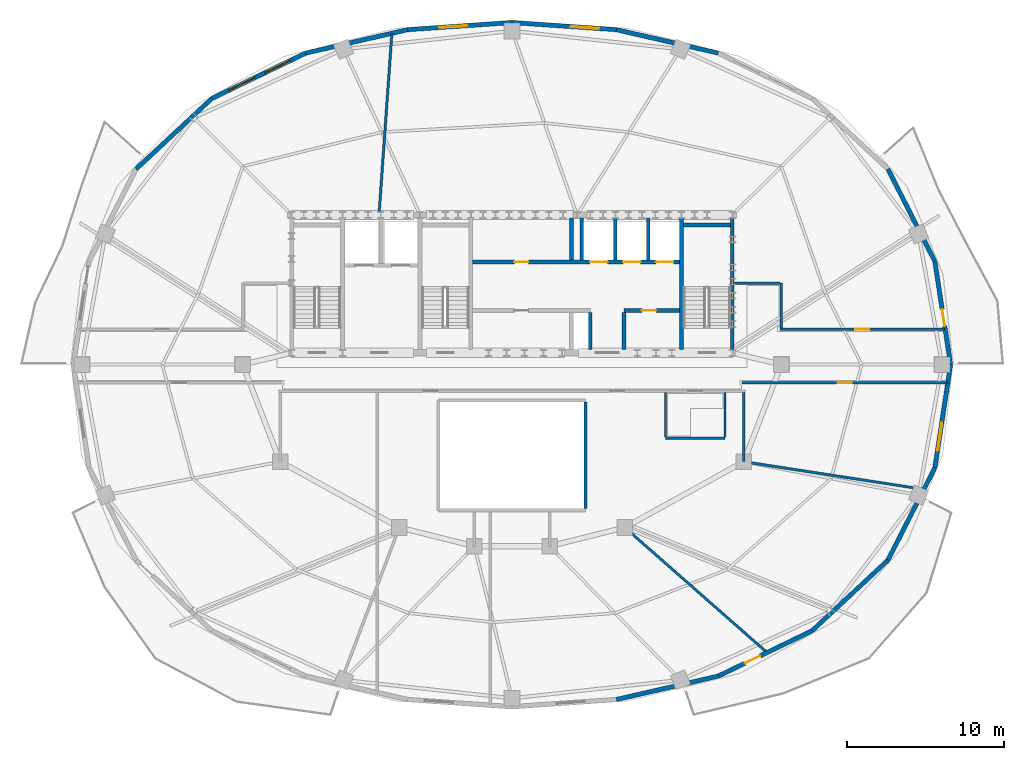
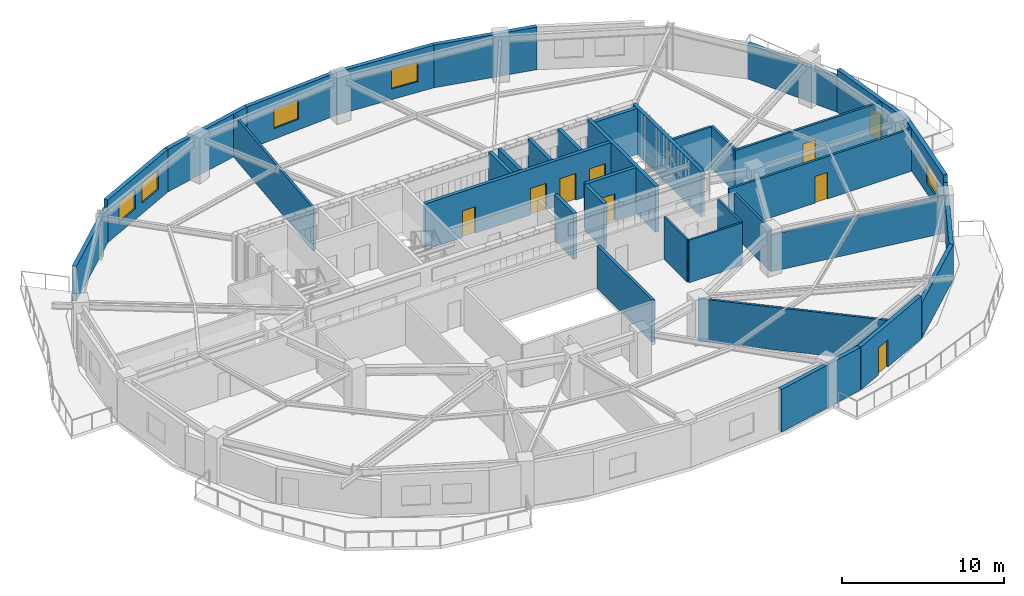
# One storey, part 5 of 11: 36 walls, 9 doors, 5 windows, 14 openings.
"""IFC4 building model written with IfcOpenShell, lengths in metres."""

from ifc_helpers import new_model, si_unit, direction, frame, frame_2d, origin, place, context, subcontext, project, spatial, rectangle, extrude, material, layer, layer_set, type_object, element, fill, save


model = new_model("IFC4")

# Units and contexts
model_context = context("Model", 3, precision=1e-05, world=origin(), true_north=direction((0.0, 1.0)))
body_context = subcontext(model_context, "Body", "Model", "MODEL_VIEW")
ifc_project = project(units=[si_unit("LENGTHUNIT", "METRE"), si_unit("AREAUNIT", "SQUARE_METRE"), si_unit("VOLUMEUNIT", "CUBIC_METRE"), si_unit("PLANEANGLEUNIT", "RADIAN"), si_unit("MASSUNIT", "GRAM", prefix="KILO")], contexts=[model_context])

# Site, building, storey
site_placement = place(None, origin())
site = spatial("IfcSite", under=ifc_project, at=site_placement, CompositionType="ELEMENT")
building_placement = place(site_placement, origin())
building = spatial("IfcBuilding", under=site, at=building_placement, Name="Haldorwick Loom Tower", CompositionType="ELEMENT")
storey_placement = place(building_placement, frame((0.0, 0.0, 227.10009765625)))
storey = spatial("IfcBuildingStorey", under=building, at=storey_placement, Name="L61", CompositionType="ELEMENT", Elevation=227.10009765625)

# Wall, opening, door
ifc_material_1 = material(Name="Pressed Clay Face Brick and Insulated Masonry Backup Assembly", Category="masonry")
ifc_layer_1 = layer(ifc_material_1, 0.280029296875, Name="Pressed Clay Face Brick and Insulated Masonry Backup Assembly", Category="masonry")
ifc_layer_set_1 = layer_set([ifc_layer_1], Name="Pressed Clay Face Brick and Insulated Masonry Backup Assembly")
wall_type_1 = type_object("IfcWallType", Name="ARC-WL-EXT280", PredefinedType="STANDARD", material=ifc_layer_set_1)
wall_1_placement = place(storey_placement, frame((64.00634765625, 26.0, 0.0), z_axis=(0.0, 0.0, 1.0), x_axis=(-0.150467697578, 0.988614926038, 0.0)))
wall_1 = element("IfcWall", 1, at=wall_1_placement, inside=storey, type_object=wall_type_1, Name="L61 Brick Pier and Spandrel Wall 1", PredefinedType="STANDARD", context=body_context, shape_type="SweptSolid", body=[
    extrude(rectangle(XDim=6.66064453125, YDim=0.280029296875, at=frame_2d((3.330322265625, 0.0))), origin(), (0.0, 0.0, 1.0), 3.2099609375),
])
opening_1_placement = place(wall_1_placement, frame((2.491455078125, 0.0, 0.0)))
opening_1 = element("IfcOpeningElement", 2, at=opening_1_placement, cuts=wall_1, Name="Opening D-BL11", PredefinedType="OPENING", context=body_context, shape_type="SweptSolid", body=[
    extrude(rectangle(XDim=1.080078125, YDim=2.0400390625, at=frame_2d((0.5400390625, 1.02001953125))), frame((0.0, 0.14990234375, 0.0), z_axis=(0.0, -1.0, 0.0), x_axis=(1.0, 0.0, 0.0)), (0.0, 0.0, 1.0), 0.300048828125),
])
ifc_material_2 = material(Name="Thermally Broken Anodized Aluminium Curtain Wall Framing", Category="aluminium")
door_type_1 = type_object("IfcDoorType", Name="ARC-DR-BAL110", OperationType="NOTDEFINED", PredefinedType="DOOR", material=ifc_material_2)
door_1_placement = place(opening_1_placement, origin())
door_1 = element("IfcDoor", 3, at=door_1_placement, inside=storey, type_object=door_type_1, Name="L61 Outdoor Terrace Door SLB-L61-BAL_ENE", OperationType="SINGLE_SWING_RIGHT", OverallHeight=2.0400390625, OverallWidth=1.080078125, PredefinedType="DOOR", context=body_context, shape_type="SweptSolid", body=[
    extrude(rectangle(XDim=1.080078125, YDim=2.0400390625, at=frame_2d((0.5400390625, 1.02001953125))), frame((0.0, 0.02490234375, 0.0), z_axis=(0.0, -1.0, 0.0), x_axis=(1.0, 0.0, 0.0)), (0.0, 0.0, 1.0), 0.050048828125),
])
fill(opening_1, door_1)

# Walls
wall_2_placement = place(storey_placement, frame((63.004150390625, 32.584716796875, 0.0), z_axis=(0.0, 0.0, 1.0), x_axis=(-0.453032066879, 0.89149422117, 0.0)))
element("IfcWall", 4, at=wall_2_placement, inside=storey, type_object=wall_type_1, Name="L61 Brick Pier and Spandrel Wall 2", PredefinedType="STANDARD", context=body_context, shape_type="SweptSolid", body=[
    extrude(rectangle(XDim=6.618896484375, YDim=0.280029296875, at=frame_2d((3.3095703125, 0.0))), origin(), (0.0, 0.0, 1.0), 2.640869140625),
])
wall_3_placement = place(storey_placement, frame((49.17138671875, 45.890869140625, 0.0), z_axis=(0.0, 0.0, 1.0), x_axis=(-0.974557343474, 0.224138315065, 0.0)))
element("IfcWall", 5, at=wall_3_placement, inside=storey, type_object=wall_type_1, Name="L61 Brick Pier and Spandrel Wall 5", PredefinedType="STANDARD", context=body_context, shape_type="SweptSolid", body=[
    extrude(rectangle(XDim=6.676025390625, YDim=0.280029296875, at=frame_2d((3.337890625, 0.0))), origin(), (0.0, 0.0, 1.0), 3.2099609375),
])

# Wall, opening, window
wall_4_placement = place(storey_placement, frame((42.665283203125, 47.38720703125, 0.0), z_axis=(0.0, 0.0, 1.0), x_axis=(-0.99764992135, 0.068517402386, 0.0)))
wall_4 = element("IfcWall", 6, at=wall_4_placement, inside=storey, type_object=wall_type_1, Name="L61 Brick Pier and Spandrel Wall 6", PredefinedType="STANDARD", context=body_context, shape_type="SweptSolid", body=[
    extrude(rectangle(XDim=6.680908203125, YDim=0.280029296875, at=frame_2d((3.34033203125, 0.0))), origin(), (0.0, 0.0, 1.0), 3.2099609375),
])
opening_2_placement = place(wall_4_placement, frame((1.104248046875, 0.0, 0.800048828125)))
opening_2 = element("IfcOpeningElement", 7, at=opening_2_placement, cuts=wall_4, Name="Opening W-01", PredefinedType="OPENING", context=body_context, shape_type="SweptSolid", body=[
    extrude(rectangle(XDim=1.800048828125, YDim=1.47998046875, at=frame_2d((0.89990234375, 0.739990234375))), frame((0.0, 0.14990234375, 0.0), z_axis=(0.0, -1.0, 0.0), x_axis=(1.0, 0.0, 0.0)), (0.0, 0.0, 1.0), 0.300048828125),
])
ifc_material_3 = material(Name="Triple-Glazed Low-E Argon Insulated Glazing Unit", Category="glass")
window_type = type_object("IfcWindowType", Name="ARC-WIN-W180", PartitioningType="SINGLE_PANEL", PredefinedType="WINDOW", material=ifc_material_3)
window_1_placement = place(opening_2_placement, origin())
window_1 = element("IfcWindow", 8, at=window_1_placement, inside=storey, type_object=window_type, Name="L61 Deep-Set Zone 7A Window 6", OverallHeight=1.47998046875, OverallWidth=1.800048828125, PartitioningType="SINGLE_PANEL", PredefinedType="WINDOW", context=body_context, shape_type="SweptSolid", body=[
    extrude(rectangle(XDim=1.800048828125, YDim=1.47998046875, at=frame_2d((0.89990234375, 0.739990234375))), frame((0.0, 0.030029296875, 0.0), z_axis=(0.0, -1.0, 0.0), x_axis=(1.0, 0.0, 0.0)), (0.0, 0.0, 1.0), 0.06005859375),
])
fill(opening_2, window_1)

wall_5_placement = place(storey_placement, frame((36.0, 47.844970703125, 0.0), z_axis=(0.0, 0.0, 1.0), x_axis=(-0.99764992135, -0.068517402386, 0.0)))
wall_5 = element("IfcWall", 9, at=wall_5_placement, inside=storey, type_object=wall_type_1, Name="L61 Brick Pier and Spandrel Wall 7", PredefinedType="STANDARD", context=body_context, shape_type="SweptSolid", body=[
    extrude(rectangle(XDim=6.680908203125, YDim=0.280029296875, at=frame_2d((3.34033203125, 0.0))), origin(), (0.0, 0.0, 1.0), 3.2099609375),
])
opening_3_placement = place(wall_5_placement, frame((2.860595703125, 0.0, 0.800048828125)))
opening_3 = element("IfcOpeningElement", 10, at=opening_3_placement, cuts=wall_5, Name="Opening W-01", PredefinedType="OPENING", context=body_context, shape_type="SweptSolid", body=[
    extrude(rectangle(XDim=1.800048828125, YDim=1.47998046875, at=frame_2d((0.89990234375, 0.739990234375))), frame((0.0, 0.14990234375, 0.0), z_axis=(0.0, -1.0, 0.0), x_axis=(1.0, 0.0, 0.0)), (0.0, 0.0, 1.0), 0.300048828125),
])
window_2_placement = place(opening_3_placement, origin())
window_2 = element("IfcWindow", 11, at=window_2_placement, inside=storey, type_object=window_type, Name="L61 Deep-Set Zone 7A Window 7", OverallHeight=1.47998046875, OverallWidth=1.800048828125, PartitioningType="SINGLE_PANEL", PredefinedType="WINDOW", context=body_context, shape_type="SweptSolid", body=[
    extrude(rectangle(XDim=1.800048828125, YDim=1.47998046875, at=frame_2d((0.89990234375, 0.739990234375))), frame((0.0, 0.030029296875, 0.0), z_axis=(0.0, -1.0, 0.0), x_axis=(1.0, 0.0, 0.0)), (0.0, 0.0, 1.0), 0.06005859375),
])
fill(opening_3, window_2)

# Wall
wall_6_placement = place(storey_placement, frame((29.334716796875, 47.38720703125, 0.0), z_axis=(0.0, 0.0, 1.0), x_axis=(-0.974557343474, -0.224138315065, 0.0)))
element("IfcWall", 12, at=wall_6_placement, inside=storey, type_object=wall_type_1, Name="L61 Brick Pier and Spandrel Wall 8", PredefinedType="STANDARD", context=body_context, shape_type="SweptSolid", body=[
    extrude(rectangle(XDim=6.676025390625, YDim=0.280029296875, at=frame_2d((3.337890625, 0.0))), origin(), (0.0, 0.0, 1.0), 3.2099609375),
])

# Wall, openings, windows
wall_7_placement = place(storey_placement, frame((22.82861328125, 45.890869140625, 0.0), z_axis=(0.0, 0.0, 1.0), x_axis=(-0.900371236029, -0.435122554381, 0.0)))
wall_7 = element("IfcWall", 13, at=wall_7_placement, inside=storey, type_object=wall_type_1, Name="L61 Brick Pier and Spandrel Wall 9", PredefinedType="STANDARD", context=body_context, shape_type="SweptSolid", body=[
    extrude(rectangle(XDim=6.6533203125, YDim=0.280029296875, at=frame_2d((3.32666015625, 0.0))), origin(), (0.0, 0.0, 1.0), 3.2099609375),
])
opening_4_placement = place(wall_7_placement, frame((1.095947265625, 0.0, 0.800048828125)))
opening_4 = element("IfcOpeningElement", 14, at=opening_4_placement, cuts=wall_7, Name="Opening W-01", PredefinedType="OPENING", context=body_context, shape_type="SweptSolid", body=[
    extrude(rectangle(XDim=1.800048828125, YDim=1.47998046875, at=frame_2d((0.89990234375, 0.739990234375))), frame((0.0, 0.14990234375, 0.0), z_axis=(0.0, -1.0, 0.0), x_axis=(1.0, 0.0, 0.0)), (0.0, 0.0, 1.0), 0.300048828125),
])
opening_5_placement = place(wall_7_placement, frame((3.618896484375, 0.0, 0.800048828125)))
opening_5 = element("IfcOpeningElement", 15, at=opening_5_placement, cuts=wall_7, Name="Opening W-01", PredefinedType="OPENING", context=body_context, shape_type="SweptSolid", body=[
    extrude(rectangle(XDim=1.800048828125, YDim=1.47998046875, at=frame_2d((0.89990234375, 0.739990234375))), frame((0.0, 0.14990234375, 0.0), z_axis=(0.0, -1.0, 0.0), x_axis=(1.0, 0.0, 0.0)), (0.0, 0.0, 1.0), 0.300048828125),
])
window_3_placement = place(opening_4_placement, origin())
window_3 = element("IfcWindow", 16, at=window_3_placement, inside=storey, type_object=window_type, Name="L61 Deep-Set Zone 7A Window 9", OverallHeight=1.47998046875, OverallWidth=1.800048828125, PartitioningType="SINGLE_PANEL", PredefinedType="WINDOW", context=body_context, shape_type="SweptSolid", body=[
    extrude(rectangle(XDim=1.800048828125, YDim=1.47998046875, at=frame_2d((0.89990234375, 0.739990234375))), frame((0.0, 0.030029296875, 0.0), z_axis=(0.0, -1.0, 0.0), x_axis=(1.0, 0.0, 0.0)), (0.0, 0.0, 1.0), 0.06005859375),
])
fill(opening_4, window_3)
window_4_placement = place(opening_5_placement, origin())
window_4 = element("IfcWindow", 17, at=window_4_placement, inside=storey, type_object=window_type, Name="L61 Deep-Set Zone 7A Window 9", OverallHeight=1.47998046875, OverallWidth=1.800048828125, PartitioningType="SINGLE_PANEL", PredefinedType="WINDOW", context=body_context, shape_type="SweptSolid", body=[
    extrude(rectangle(XDim=1.800048828125, YDim=1.47998046875, at=frame_2d((0.89990234375, 0.739990234375))), frame((0.0, 0.030029296875, 0.0), z_axis=(0.0, -1.0, 0.0), x_axis=(1.0, 0.0, 0.0)), (0.0, 0.0, 1.0), 0.06005859375),
])
fill(opening_5, window_4)

# Walls
wall_8_placement = place(storey_placement, frame((16.838134765625, 42.995849609375, 0.0), z_axis=(0.0, 0.0, 1.0), x_axis=(-0.731833707499, -0.681483253329, 0.0)))
element("IfcWall", 18, at=wall_8_placement, inside=storey, type_object=wall_type_1, Name="L61 Brick Pier and Spandrel Wall 10", PredefinedType="STANDARD", context=body_context, shape_type="SweptSolid", body=[
    extrude(rectangle(XDim=6.61865234375, YDim=0.280029296875, at=frame_2d((3.309326171875, 0.0))), origin(), (0.0, 0.0, 1.0), 2.640869140625),
])
wall_9_placement = place(storey_placement, frame((42.665283203125, 4.61279296875, 0.0), z_axis=(0.0, 0.0, 1.0), x_axis=(0.974557343474, 0.224138315065, 0.0)))
element("IfcWall", 19, at=wall_9_placement, inside=storey, type_object=wall_type_1, Name="L61 Brick Pier and Spandrel Wall 20", PredefinedType="STANDARD", context=body_context, shape_type="SweptSolid", body=[
    extrude(rectangle(XDim=6.676025390625, YDim=0.280029296875, at=frame_2d((3.337890625, 0.0))), origin(), (0.0, 0.0, 1.0), 3.2099609375),
])

# Wall, opening, door
wall_10_placement = place(storey_placement, frame((49.17138671875, 6.109130859375, 0.0), z_axis=(0.0, 0.0, 1.0), x_axis=(0.900371236029, 0.435122554381, 0.0)))
wall_10 = element("IfcWall", 20, at=wall_10_placement, inside=storey, type_object=wall_type_1, Name="L61 Brick Pier and Spandrel Wall 21", PredefinedType="STANDARD", context=body_context, shape_type="SweptSolid", body=[
    extrude(rectangle(XDim=6.6533203125, YDim=0.280029296875, at=frame_2d((3.32666015625, 0.0))), origin(), (0.0, 0.0, 1.0), 3.2099609375),
])
opening_6_placement = place(wall_10_placement, frame((1.8916015625, 0.0, 0.0)))
opening_6 = element("IfcOpeningElement", 21, at=opening_6_placement, cuts=wall_10, Name="Opening D-BL11", PredefinedType="OPENING", context=body_context, shape_type="SweptSolid", body=[
    extrude(rectangle(XDim=1.080078125, YDim=2.0400390625, at=frame_2d((0.5400390625, 1.02001953125))), frame((0.0, 0.14990234375, 0.0), z_axis=(0.0, -1.0, 0.0), x_axis=(1.0, 0.0, 0.0)), (0.0, 0.0, 1.0), 0.300048828125),
])
door_2_placement = place(opening_6_placement, origin())
door_2 = element("IfcDoor", 22, at=door_2_placement, inside=storey, type_object=door_type_1, Name="L61 Outdoor Terrace Door SLB-L61-BAL_SE", OperationType="SINGLE_SWING_RIGHT", OverallHeight=2.0400390625, OverallWidth=1.080078125, PredefinedType="DOOR", context=body_context, shape_type="SweptSolid", body=[
    extrude(rectangle(XDim=1.080078125, YDim=2.0400390625, at=frame_2d((0.5400390625, 1.02001953125))), frame((0.0, 0.02490234375, 0.0), z_axis=(0.0, -1.0, 0.0), x_axis=(1.0, 0.0, 0.0)), (0.0, 0.0, 1.0), 0.050048828125),
])
fill(opening_6, door_2)

# Walls
wall_11_placement = place(storey_placement, frame((55.161865234375, 9.004150390625, 0.0), z_axis=(0.0, 0.0, 1.0), x_axis=(0.731833707499, 0.681483253329, 0.0)))
element("IfcWall", 23, at=wall_11_placement, inside=storey, type_object=wall_type_1, Name="L61 Brick Pier and Spandrel Wall 22", PredefinedType="STANDARD", context=body_context, shape_type="SweptSolid", body=[
    extrude(rectangle(XDim=6.61865234375, YDim=0.280029296875, at=frame_2d((3.309326171875, 0.0))), origin(), (0.0, 0.0, 1.0), 2.640869140625),
])
wall_12_placement = place(storey_placement, frame((60.005615234375, 13.5146484375, 0.0), z_axis=(0.0, 0.0, 1.0), x_axis=(0.453032066879, 0.89149422117, 0.0)))
element("IfcWall", 24, at=wall_12_placement, inside=storey, type_object=wall_type_1, Name="L61 Brick Pier and Spandrel Wall 23", PredefinedType="STANDARD", context=body_context, shape_type="SweptSolid", body=[
    extrude(rectangle(XDim=6.618896484375, YDim=0.280029296875, at=frame_2d((3.3095703125, 0.0))), origin(), (0.0, 0.0, 1.0), 2.640869140625),
])

# Wall, opening, window
wall_13_placement = place(storey_placement, frame((63.004150390625, 19.415283203125, 0.0), z_axis=(0.0, 0.0, 1.0), x_axis=(0.150467697578, 0.988614926038, 0.0)))
wall_13 = element("IfcWall", 25, at=wall_13_placement, inside=storey, type_object=wall_type_1, Name="L61 Brick Pier and Spandrel Wall 24", PredefinedType="STANDARD", context=body_context, shape_type="SweptSolid", body=[
    extrude(rectangle(XDim=6.66064453125, YDim=0.280029296875, at=frame_2d((3.330322265625, 0.0))), origin(), (0.0, 0.0, 1.0), 3.2099609375),
])
opening_7_placement = place(wall_13_placement, frame((1.09814453125, 0.0, 0.800048828125)))
opening_7 = element("IfcOpeningElement", 26, at=opening_7_placement, cuts=wall_13, Name="Opening W-01", PredefinedType="OPENING", context=body_context, shape_type="SweptSolid", body=[
    extrude(rectangle(XDim=1.800048828125, YDim=1.47998046875, at=frame_2d((0.89990234375, 0.739990234375))), frame((0.0, 0.14990234375, 0.0), z_axis=(0.0, -1.0, 0.0), x_axis=(1.0, 0.0, 0.0)), (0.0, 0.0, 1.0), 0.300048828125),
])
window_5_placement = place(opening_7_placement, origin())
window_5 = element("IfcWindow", 27, at=window_5_placement, inside=storey, type_object=window_type, Name="L61 Deep-Set Zone 7A Window 24", OverallHeight=1.47998046875, OverallWidth=1.800048828125, PartitioningType="SINGLE_PANEL", PredefinedType="WINDOW", context=body_context, shape_type="SweptSolid", body=[
    extrude(rectangle(XDim=1.800048828125, YDim=1.47998046875, at=frame_2d((0.89990234375, 0.739990234375))), frame((0.0, 0.030029296875, 0.0), z_axis=(0.0, -1.0, 0.0), x_axis=(1.0, 0.0, 0.0)), (0.0, 0.0, 1.0), 0.06005859375),
])
fill(opening_7, window_5)

# Wall, opening, door
ifc_material_4 = material(Name="Fire-Rated Type X Gypsum Stud Assembly EI 60")
ifc_layer_2 = layer(ifc_material_4, 0.159912109375, Name="Fire-Rated Type X Gypsum Stud Assembly EI 60")
ifc_layer_set_2 = layer_set([ifc_layer_2], Name="Fire-Rated Type X Gypsum Stud Assembly EI 60")
wall_type_2 = type_object("IfcWallType", Name="ARC-WL-FIRE160", PredefinedType="PARTITIONING", material=ifc_layer_set_2)
wall_14_placement = place(storey_placement, frame((50.699951171875, 24.85009765625, 0.0), z_axis=(0.0, 0.0, 1.0), x_axis=(1.0, 0.0, 0.0)))
wall_14 = element("IfcWall", 28, at=wall_14_placement, inside=storey, type_object=wall_type_2, Name="L61 Residential Fire Partition L61-CR-SPE", PredefinedType="PARTITIONING", context=body_context, shape_type="SweptSolid", body=[
    extrude(rectangle(XDim=13.0859375, YDim=0.159912109375, at=frame_2d((6.54296875, 0.0))), origin(), (0.0, 0.0, 1.0), 3.19482421875),
])
opening_8_placement = place(wall_14_placement, frame((6.093017578125, 0.0, 0.0)))
opening_8 = element("IfcOpeningElement", 29, at=opening_8_placement, cuts=wall_14, Name="Opening D-FD60A", PredefinedType="OPENING", context=body_context, shape_type="SweptSolid", body=[
    extrude(rectangle(XDim=0.89990234375, YDim=2.0, at=frame_2d((0.449951171875, 1.0))), frame((0.0, 0.08984375, 0.0), z_axis=(0.0, -1.0, 0.0), x_axis=(1.0, 0.0, 0.0)), (0.0, 0.0, 1.0), 0.179931640625),
])
ifc_material_5 = material(Name="Hollow Steel Fire Door Assembly", Category="steel")
door_type_2 = type_object("IfcDoorType", Name="ARC-DR-FD60-90", OperationType="NOTDEFINED", PredefinedType="DOOR", material=ifc_material_5)
door_3_placement = place(opening_8_placement, origin())
door_3 = element("IfcDoor", 30, at=door_3_placement, inside=storey, type_object=door_type_2, Name="L61 L61 Central Residential Corridor to Resident Study Room 1 Door", OperationType="SINGLE_SWING_RIGHT", OverallHeight=2.0, OverallWidth=0.89990234375, PredefinedType="DOOR", context=body_context, shape_type="SweptSolid", body=[
    extrude(rectangle(XDim=0.89990234375, YDim=2.0, at=frame_2d((0.449951171875, 1.0))), frame((0.0, 0.02490234375, 0.0), z_axis=(0.0, -1.0, 0.0), x_axis=(1.0, 0.0, 0.0)), (0.0, 0.0, 1.0), 0.050048828125),
])
fill(opening_8, door_3)

wall_15_placement = place(storey_placement, frame((53.10009765625, 28.25, 0.0), z_axis=(0.0, 0.0, 1.0), x_axis=(1.0, 0.0, 0.0)))
wall_15 = element("IfcWall", 31, at=wall_15_placement, inside=storey, type_object=wall_type_2, Name="L61 Residential Fire Partition L61-CR-NEL", PredefinedType="PARTITIONING", context=body_context, shape_type="SweptSolid", body=[
    extrude(rectangle(XDim=10.518310546875, YDim=0.159912109375, at=frame_2d((5.25927734375, 0.0))), origin(), (0.0, 0.0, 1.0), 3.19482421875),
])
opening_9_placement = place(wall_15_placement, frame((4.80908203125, 0.0, 0.0)))
opening_9 = element("IfcOpeningElement", 32, at=opening_9_placement, cuts=wall_15, Name="Opening D-FD60A", PredefinedType="OPENING", context=body_context, shape_type="SweptSolid", body=[
    extrude(rectangle(XDim=0.89990234375, YDim=2.0, at=frame_2d((0.449951171875, 1.0))), frame((0.0, 0.08984375, 0.0), z_axis=(0.0, -1.0, 0.0), x_axis=(1.0, 0.0, 0.0)), (0.0, 0.0, 1.0), 0.179931640625),
])
door_4_placement = place(opening_9_placement, frame((0.89990234375, 0.0, 0.0), z_axis=(0.0, 0.0, 1.0), x_axis=(-1.0, 0.0, 0.0)))
door_4 = element("IfcDoor", 33, at=door_4_placement, inside=storey, type_object=door_type_2, Name="L61 Community Library Hall 6 to L61 Central Residential Corridor Door", OperationType="SINGLE_SWING_LEFT", OverallHeight=2.0, OverallWidth=0.89990234375, PredefinedType="DOOR", context=body_context, shape_type="SweptSolid", body=[
    extrude(rectangle(XDim=0.89990234375, YDim=2.0, at=frame_2d((0.449951171875, 1.0))), frame((0.0, 0.02490234375, 0.0), z_axis=(0.0, -1.0, 0.0), x_axis=(1.0, 0.0, 0.0)), (0.0, 0.0, 1.0), 0.050048828125),
])
fill(opening_9, door_4)

# Walls
wall_16_placement = place(storey_placement, frame((53.199951171875, 28.3330078125, 0.0), z_axis=(0.0, 0.0, 1.0), x_axis=(0.0, 1.0, 0.0)))
element("IfcWall", 34, at=wall_16_placement, inside=storey, type_object=wall_type_2, Name="L61 Residential Fire Partition L61-CR-E0", PredefinedType="PARTITIONING", context=body_context, shape_type="SweptSolid", body=[
    extrude(rectangle(XDim=2.866943359375, YDim=0.159912109375, at=frame_2d((1.43359375, 0.0))), origin(), (0.0, 0.0, 1.0), 3.19482421875),
])
wall_17_placement = place(storey_placement, frame((50.193115234375, 31.199951171875, 0.0), z_axis=(0.0, 0.0, 1.0), x_axis=(1.0, 0.0, 0.0)))
element("IfcWall", 35, at=wall_17_placement, inside=storey, type_object=wall_type_2, Name="L61 Residential Fire Partition L61-CR-ENJ", PredefinedType="PARTITIONING", context=body_context, shape_type="SweptSolid", body=[
    extrude(rectangle(XDim=2.923828125, YDim=0.159912109375, at=frame_2d((1.4619140625, 0.0))), origin(), (0.0, 0.0, 1.0), 3.19482421875),
])
wall_18_placement = place(storey_placement, frame((50.800048828125, 19.800048828125, 0.0), z_axis=(0.0, 0.0, 1.0), x_axis=(0.988414763084, -0.151776994694, 0.0)))
element("IfcWall", 36, at=wall_18_placement, inside=storey, type_object=wall_type_2, Name="L61 Residential Fire Partition L61-ICR-02", PredefinedType="PARTITIONING", context=body_context, shape_type="SweptSolid", body=[
    extrude(rectangle(XDim=11.589599609375, YDim=0.159912109375, at=frame_2d((5.794921875, 0.0))), origin(), (0.0, 0.0, 1.0), 2.77197265625),
])
wall_19_placement = place(storey_placement, frame((43.199951171875, 15.60009765625, 0.0), z_axis=(0.0, 0.0, 1.0), x_axis=(0.751199302963, -0.660075455708, 0.0)))
element("IfcWall", 37, at=wall_19_placement, inside=storey, type_object=wall_type_2, Name="L61 Residential Fire Partition L61-ICR-04", PredefinedType="PARTITIONING", context=body_context, shape_type="SweptSolid", body=[
    extrude(rectangle(XDim=12.04833984375, YDim=0.159912109375, at=frame_2d((6.024169921875, 0.0))), origin(), (0.0, 0.0, 1.0), 3.19482421875),
])
wall_20_placement = place(storey_placement, frame((50.800048828125, 24.217041015625, 0.0), z_axis=(0.0, 0.0, 1.0), x_axis=(0.0, -1.0, 0.0)))
element("IfcWall", 38, at=wall_20_placement, inside=storey, type_object=wall_type_2, Name="L61 Residential Fire Partition L61-ICA-01", PredefinedType="PARTITIONING", context=body_context, shape_type="SweptSolid", body=[
    extrude(rectangle(XDim=4.4169921875, YDim=0.159912109375, at=frame_2d((2.20849609375, 0.0))), origin(), (0.0, 0.0, 1.0), 3.19482421875),
])
wall_21_placement = place(storey_placement, frame((27.521484375, 35.7529296875, 0.0), z_axis=(0.0, 0.0, 1.0), x_axis=(0.070702976907, 0.997497413058, 0.0)))
element("IfcWall", 39, at=wall_21_placement, inside=storey, type_object=wall_type_2, Name="L61 Residential Fire Partition L61-UPN-C3", PredefinedType="PARTITIONING", context=body_context, shape_type="SweptSolid", body=[
    extrude(rectangle(XDim=11.384765625, YDim=0.159912109375, at=frame_2d((5.6923828125, 0.0))), origin(), (0.0, 0.0, 1.0), 3.19482421875),
])
ifc_material_6 = material(Name="Fire-Rated Type X Gypsum Stud Assembly EI 120")
ifc_layer_3 = layer(ifc_material_6, 0.199951171875, Name="Fire-Rated Type X Gypsum Stud Assembly EI 120")
ifc_layer_set_3 = layer_set([ifc_layer_3], Name="Fire-Rated Type X Gypsum Stud Assembly EI 120")
wall_type_3 = type_object("IfcWallType", Name="ARC-WL-FIRE200", PredefinedType="PARTITIONING", material=ifc_layer_set_3)
wall_22_placement = place(storey_placement, frame((40.699951171875, 23.596923828125, 0.0), z_axis=(0.0, 0.0, 1.0), x_axis=(0.0, -1.0, 0.0)))
element("IfcWall", 40, at=wall_22_placement, inside=storey, type_object=wall_type_3, Name="L61 Atrium Fire Enclosure Wall E", PredefinedType="PARTITIONING", context=body_context, shape_type="SweptSolid", body=[
    extrude(rectangle(XDim=6.7939453125, YDim=0.199951171875, at=frame_2d((3.39697265625, 0.0))), origin(), (0.0, 0.0, 1.0), 3.19482421875),
])
ifc_layer_4 = layer(ifc_material_4, 0.139892578125, Name="Fire-Rated Type X Gypsum Stud Assembly EI 60")
ifc_layer_set_4 = layer_set([ifc_layer_4], Name="Fire-Rated Type X Gypsum Stud Assembly EI 60")
wall_type_4 = type_object("IfcWallType", Name="ARC-WL-PART140", PredefinedType="PARTITIONING", material=ifc_layer_set_4)
wall_23_placement = place(storey_placement, frame((45.800048828125, 21.300048828125, 0.0), z_axis=(0.0, 0.0, 1.0), x_axis=(1.0, 0.0, 0.0)))
element("IfcWall", 41, at=wall_23_placement, inside=storey, type_object=wall_type_4, Name="L61 Residential Fire Partition L61-CWC-S", PredefinedType="PARTITIONING", context=body_context, shape_type="SweptSolid", body=[
    extrude(rectangle(XDim=3.800048828125, YDim=0.139892578125, at=frame_2d((1.89990234375, 0.0))), origin(), (0.0, 0.0, 1.0), 3.19482421875),
])
for number, where, z_axis, x_axis, name in (
    (42, (45.800048828125, 21.373046875, 0.0), (0.0, 0.0, 1.0), (0.0, 1.0, 0.0), "L61 Residential Fire Partition L61-CWC-W"),
    (43, (49.60009765625, 21.373046875, 0.0), (0.0, 0.0, 1.0), (0.0, 1.0, 0.0), "L61 Residential Fire Partition L61-CWC-E"),
):
    element("IfcWall", number, at=place(storey_placement, frame(where, z_axis=z_axis, x_axis=x_axis)), inside=storey, type_object=wall_type_4, Name=name, PredefinedType="PARTITIONING", context=body_context, shape_type="SweptSolid", body=[
        extrude(rectangle(XDim=2.843994140625, YDim=0.139892578125, at=frame_2d((1.421875, 0.0))), origin(), (0.0, 0.0, 1.0), 3.19482421875),
    ])
ifc_material_7 = material(Name="Concrete C50 (50 MPa)", Category="concrete")
ifc_layer_5 = layer(ifc_material_7, 0.239990234375, Name="Concrete C50 (50 MPa)", Category="concrete")
ifc_layer_set_5 = layer_set([ifc_layer_5], Name="Concrete C50 (50 MPa)")
wall_type_5 = type_object("IfcWallType", Name="STR-WL-SHAFT240", PredefinedType="SHEAR", material=ifc_layer_set_5)
for number, where, z_axis, x_axis, name in (
    (44, (50.070068359375, 26.952880859375, 0.0), (0.0, 0.0, 1.0), (0.0, 1.0, 0.0), "L61 Core Shear Wall E"),
    (45, (46.830078125, 26.952880859375, 0.0), (0.0, 0.0, 1.0), (0.0, 1.0, 0.0), "L61 Core Shear Wall 4"),
):
    element("IfcWall", number, at=place(storey_placement, frame(where, z_axis=z_axis, x_axis=x_axis)), inside=storey, type_object=wall_type_5, Name=name, PredefinedType="SHEAR", context=body_context, shape_type="SweptSolid", body=[
        extrude(rectangle(XDim=8.39404296875, YDim=0.239990234375, at=frame_2d((4.197021484375, 0.0))), origin(), (0.0, 0.0, 1.0), 3.449951171875),
    ])
wall_24_placement = place(storey_placement, frame((46.952880859375, 34.919921875, 0.0), z_axis=(0.0, 0.0, 1.0), x_axis=(1.0, 0.0, 0.0)))
element("IfcWall", 46, at=wall_24_placement, inside=storey, type_object=wall_type_5, Name="L61 Core Shear Wall 4N", PredefinedType="SHEAR", context=body_context, shape_type="SweptSolid", body=[
    extrude(rectangle(XDim=2.994140625, YDim=0.239990234375, at=frame_2d((1.4970703125, 0.0))), origin(), (0.0, 0.0, 1.0), 3.449951171875),
])

# Wall, openings, doors
wall_25_placement = place(storey_placement, frame((33.492919921875, 32.550048828125, 0.0), z_axis=(0.0, 0.0, 1.0), x_axis=(1.0, 0.0, 0.0)))
wall_25 = element("IfcWall", 47, at=wall_25_placement, inside=storey, type_object=wall_type_5, Name="L61 Core Shear Wall LN", PredefinedType="SHEAR", context=body_context, shape_type="SweptSolid", body=[
    extrude(rectangle(XDim=13.214111328125, YDim=0.239990234375, at=frame_2d((6.60693359375, 0.0))), origin(), (0.0, 0.0, 1.0), 3.449951171875),
])
opening_10_placement = place(wall_25_placement, frame((2.656982421875, 0.0, 0.0)))
opening_10 = element("IfcOpeningElement", 48, at=opening_10_placement, cuts=wall_25, Name="Opening D-FD60A", PredefinedType="OPENING", context=body_context, shape_type="SweptSolid", body=[
    extrude(rectangle(XDim=0.89990234375, YDim=2.0, at=frame_2d((0.449951171875, 1.0))), frame((0.0, 0.1298828125, 0.0), z_axis=(0.0, -1.0, 0.0), x_axis=(1.0, 0.0, 0.0)), (0.0, 0.0, 1.0), 0.260009765625),
])
opening_11_placement = place(wall_25_placement, frame((7.4970703125, 0.0, 0.0)))
opening_11 = element("IfcOpeningElement", 49, at=opening_11_placement, cuts=wall_25, Name="Opening LD-H1", PredefinedType="OPENING", context=body_context, shape_type="SweptSolid", body=[
    extrude(rectangle(XDim=1.1201171875, YDim=2.0, at=frame_2d((0.56005859375, 1.0))), frame((0.0, 0.1298828125, 0.0), z_axis=(0.0, -1.0, 0.0), x_axis=(1.0, 0.0, 0.0)), (0.0, 0.0, 1.0), 0.260009765625),
])
opening_12_placement = place(wall_25_placement, frame((9.596923828125, 0.0, 0.0)))
opening_12 = element("IfcOpeningElement", 50, at=opening_12_placement, cuts=wall_25, Name="Opening LD-H2", PredefinedType="OPENING", context=body_context, shape_type="SweptSolid", body=[
    extrude(rectangle(XDim=1.1201171875, YDim=2.0, at=frame_2d((0.56005859375, 1.0))), frame((0.0, 0.1298828125, 0.0), z_axis=(0.0, -1.0, 0.0), x_axis=(1.0, 0.0, 0.0)), (0.0, 0.0, 1.0), 0.260009765625),
])
opening_13_placement = place(wall_25_placement, frame((11.697021484375, 0.0, 0.0)))
opening_13 = element("IfcOpeningElement", 51, at=opening_13_placement, cuts=wall_25, Name="Opening LD-H3", PredefinedType="OPENING", context=body_context, shape_type="SweptSolid", body=[
    extrude(rectangle(XDim=1.1201171875, YDim=2.0, at=frame_2d((0.56005859375, 1.0))), frame((0.0, 0.1298828125, 0.0), z_axis=(0.0, -1.0, 0.0), x_axis=(1.0, 0.0, 0.0)), (0.0, 0.0, 1.0), 0.260009765625),
])
door_5_placement = place(opening_10_placement, frame((0.89990234375, 0.0, 0.0), z_axis=(0.0, 0.0, 1.0), x_axis=(-1.0, 0.0, 0.0)))
door_5 = element("IfcDoor", 52, at=door_5_placement, inside=storey, type_object=door_type_2, Name="L61 Housekeeping Store Door", OperationType="SINGLE_SWING_LEFT", OverallHeight=2.0, OverallWidth=0.89990234375, PredefinedType="DOOR", context=body_context, shape_type="SweptSolid", body=[
    extrude(rectangle(XDim=0.89990234375, YDim=2.0, at=frame_2d((0.449951171875, 1.0))), frame((0.0, 0.02490234375, 0.0), z_axis=(0.0, -1.0, 0.0), x_axis=(1.0, 0.0, 0.0)), (0.0, 0.0, 1.0), 0.050048828125),
])
fill(opening_10, door_5)
door_type_3 = type_object("IfcDoorType", Name="ARC-DR-LD-PAX", OperationType="NOTDEFINED", PredefinedType="USERDEFINED", material=ifc_material_5)
door_6_placement = place(opening_11_placement, origin())
door_6 = element("IfcDoor", 53, at=door_6_placement, inside=storey, type_object=door_type_3, Name="L61 Lift LF-H1 Sliding Landing Door", ObjectType="LANDING DOOR", OperationType="DOUBLE_DOOR_SLIDING", OverallHeight=2.0, OverallWidth=1.1201171875, PredefinedType="USERDEFINED", context=body_context, shape_type="SweptSolid", body=[
    extrude(rectangle(XDim=1.1201171875, YDim=2.0, at=frame_2d((0.56005859375, 1.0))), frame((0.0, 0.02490234375, 0.0), z_axis=(0.0, -1.0, 0.0), x_axis=(1.0, 0.0, 0.0)), (0.0, 0.0, 1.0), 0.050048828125),
])
fill(opening_11, door_6)
door_7_placement = place(opening_12_placement, origin())
door_7 = element("IfcDoor", 54, at=door_7_placement, inside=storey, type_object=door_type_3, Name="L61 Lift LF-H2 Sliding Landing Door", ObjectType="LANDING DOOR", OperationType="DOUBLE_DOOR_SLIDING", OverallHeight=2.0, OverallWidth=1.1201171875, PredefinedType="USERDEFINED", context=body_context, shape_type="SweptSolid", body=[
    extrude(rectangle(XDim=1.1201171875, YDim=2.0, at=frame_2d((0.56005859375, 1.0))), frame((0.0, 0.02490234375, 0.0), z_axis=(0.0, -1.0, 0.0), x_axis=(1.0, 0.0, 0.0)), (0.0, 0.0, 1.0), 0.050048828125),
])
fill(opening_12, door_7)
door_8_placement = place(opening_13_placement, origin())
door_8 = element("IfcDoor", 55, at=door_8_placement, inside=storey, type_object=door_type_3, Name="L61 Lift LF-H3 Sliding Landing Door", ObjectType="LANDING DOOR", OperationType="DOUBLE_DOOR_SLIDING", OverallHeight=2.0, OverallWidth=1.1201171875, PredefinedType="USERDEFINED", context=body_context, shape_type="SweptSolid", body=[
    extrude(rectangle(XDim=1.1201171875, YDim=2.0, at=frame_2d((0.56005859375, 1.0))), frame((0.0, 0.02490234375, 0.0), z_axis=(0.0, -1.0, 0.0), x_axis=(1.0, 0.0, 0.0)), (0.0, 0.0, 1.0), 0.050048828125),
])
fill(opening_13, door_8)

# Wall, opening, door
wall_26_placement = place(storey_placement, frame((43.14990234375, 29.449951171875, 0.0), z_axis=(0.0, 0.0, 1.0), x_axis=(1.0, 0.0, 0.0)))
wall_26 = element("IfcWall", 56, at=wall_26_placement, inside=storey, type_object=wall_type_5, Name="L61 Core Shear Wall LS2", PredefinedType="SHEAR", context=body_context, shape_type="SweptSolid", body=[
    extrude(rectangle(XDim=3.55712890625, YDim=0.239990234375, at=frame_2d((1.778564453125, 0.0))), origin(), (0.0, 0.0, 1.0), 3.449951171875),
])
opening_14_placement = place(wall_26_placement, frame((1.14990234375, 0.0, 0.0)))
opening_14 = element("IfcOpeningElement", 57, at=opening_14_placement, cuts=wall_26, Name="Opening D-FD60A", PredefinedType="OPENING", context=body_context, shape_type="SweptSolid", body=[
    extrude(rectangle(XDim=0.89990234375, YDim=2.0, at=frame_2d((0.449951171875, 1.0))), frame((0.0, 0.1298828125, 0.0), z_axis=(0.0, -1.0, 0.0), x_axis=(1.0, 0.0, 0.0)), (0.0, 0.0, 1.0), 0.260009765625),
])
door_9_placement = place(opening_14_placement, origin())
door_9 = element("IfcDoor", 58, at=door_9_placement, inside=storey, type_object=door_type_2, Name="L61 Electrical Metering Door", OperationType="SINGLE_SWING_LEFT", OverallHeight=2.0, OverallWidth=0.89990234375, PredefinedType="DOOR", context=body_context, shape_type="SweptSolid", body=[
    extrude(rectangle(XDim=0.89990234375, YDim=2.0, at=frame_2d((0.449951171875, 1.0))), frame((0.0, 0.02490234375, 0.0), z_axis=(0.0, -1.0, 0.0), x_axis=(1.0, 0.0, 0.0)), (0.0, 0.0, 1.0), 0.050048828125),
])
fill(opening_14, door_9)

# Walls
for number, where, z_axis, x_axis, name in (
    (59, (41.0, 26.952880859375, 0.0), (0.0, 0.0, 1.0), (0.0, 1.0, 0.0), "L61 Core Shear Wall THW"),
    (60, (43.14990234375, 26.952880859375, 0.0), (0.0, 0.0, 1.0), (0.0, 1.0, 0.0), "L61 Core Shear Wall THE"),
):
    element("IfcWall", number, at=place(storey_placement, frame(where, z_axis=z_axis, x_axis=x_axis)), inside=storey, type_object=wall_type_5, Name=name, PredefinedType="SHEAR", context=body_context, shape_type="SweptSolid", body=[
        extrude(rectangle(XDim=2.3740234375, YDim=0.239990234375, at=frame_2d((1.18701171875, 0.0))), origin(), (0.0, 0.0, 1.0), 3.449951171875),
    ])
for number, where, z_axis, x_axis, name in (
    (61, (39.800048828125, 32.673095703125, 0.0), (0.0, 0.0, 1.0), (0.0, 1.0, 0.0), "L61 Core Shear Wall LHW"),
    (62, (40.449951171875, 32.673095703125, 0.0), (0.0, 0.0, 1.0), (0.0, 1.0, 0.0), "L61 Core Shear Wall H0"),
    (63, (42.60009765625, 32.673095703125, 0.0), (0.0, 0.0, 1.0), (0.0, 1.0, 0.0), "L61 Core Shear Wall H1"),
    (64, (44.699951171875, 32.673095703125, 0.0), (0.0, 0.0, 1.0), (0.0, 1.0, 0.0), "L61 Core Shear Wall H2"),
):
    element("IfcWall", number, at=place(storey_placement, frame(where, z_axis=z_axis, x_axis=x_axis)), inside=storey, type_object=wall_type_5, Name=name, PredefinedType="SHEAR", context=body_context, shape_type="SweptSolid", body=[
        extrude(rectangle(XDim=2.673828125, YDim=0.239990234375, at=frame_2d((1.3369140625, 0.0))), origin(), (0.0, 0.0, 1.0), 3.449951171875),
    ])

save(model, "model.ifc")
